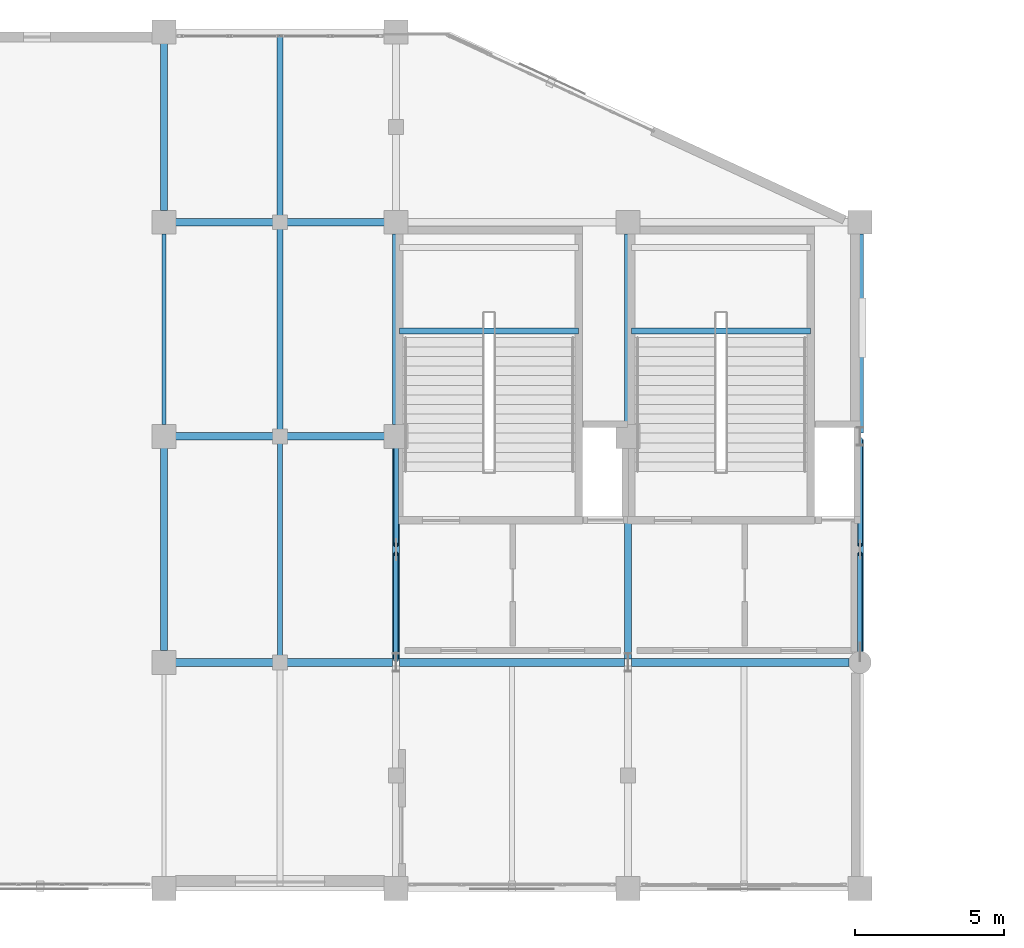
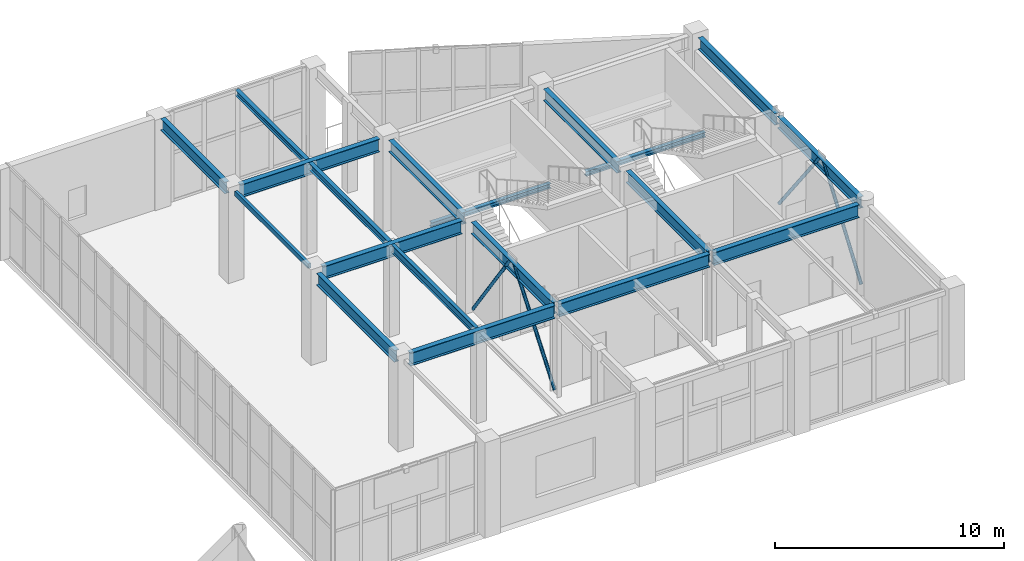
# One storey, part 90 of 128: 19 beams, 4 members.
"""IFC4 building model written with IfcOpenShell, lengths in metres."""

from ifc_helpers import new_model, si_unit, direction, frame, origin, origin_2d, place, context, subcontext, project, spatial, hollow_rectangle, hollow_circle, i_section, extrude, material, material_profile, profile_set, type_object, element, save


model = new_model("IFC4")

# Units and contexts
model_context = context("Model", 3, precision=1e-05, world=origin(), true_north=direction((0.0, 1.0)))
body_context = subcontext(model_context, "Body", "Model", "MODEL_VIEW")
ifc_project = project(units=[si_unit("LENGTHUNIT", "METRE"), si_unit("AREAUNIT", "SQUARE_METRE"), si_unit("VOLUMEUNIT", "CUBIC_METRE"), si_unit("PLANEANGLEUNIT", "RADIAN"), si_unit("MASSUNIT", "GRAM", prefix="KILO")], contexts=[model_context])

# Site, building, storey
site_placement = place(None, origin())
site = spatial("IfcSite", under=ifc_project, at=site_placement, CompositionType="ELEMENT")
building_placement = place(site_placement, origin())
building = spatial("IfcBuilding", under=site, at=building_placement, Name="Xicomal Pleat Aquarium", CompositionType="ELEMENT")
storey_placement = place(building_placement, frame((0.0, 0.0, 5.39990234375)))
storey = spatial("IfcBuildingStorey", under=building, at=storey_placement, Name="L02", CompositionType="ELEMENT", Elevation=5.39990234375)

# Beams
ifc_material_1 = material(Name="Structural steel A992 Gr 50", Category="steel")
ifc_material_profile_1 = material_profile(ifc_material_1, i_section(OverallWidth=0.201904296875, OverallDepth=0.2470703125, WebThickness=0.00732421875, FlangeThickness=0.010986328125, at=origin_2d()), Name="IR 250x49")
ifc_profile_set_1 = profile_set([ifc_material_profile_1], Name="Structural steel A992 Gr 50")
beam_type_1 = type_object("IfcBeamType", Name="BM-STL-IR250", PredefinedType="JOIST", material=ifc_profile_set_1)
for number, where, z_axis, x_axis, name in (
    (1, (141.719970703125, 94.748046875, 2.22900390625), (1.0, 0.0, 0.0), (0.0, 1.0, 0.0), "ST-05-L02 half-landing bearer beam 2"),
    (2, (149.52001953125, 94.748046875, 2.22900390625), (1.0, 0.0, 0.0), (0.0, 1.0, 0.0), "ST-06-L02 half-landing bearer beam 2"),
):
    element("IfcBeam", number, at=place(storey_placement, frame(where, z_axis=z_axis, x_axis=x_axis)), inside=storey, type_object=beam_type_1, Name=name, PredefinedType="JOIST", context=body_context, shape_type="SweptSolid", body=[
        extrude(i_section(OverallWidth=0.201904296875, OverallDepth=0.2470703125, WebThickness=0.00732421875, FlangeThickness=0.010986328125, at=origin_2d()), origin(), (0.0, 0.0, 1.0), 6.02001953125),
    ])
ifc_material_2 = material(Name="Structural steel A992 Gr 50", Category="steel")
ifc_material_profile_2 = material_profile(ifc_material_2, i_section(OverallWidth=0.202880859375, OverallDepth=0.302978515625, WebThickness=0.007568359375, FlangeThickness=0.01318359375, at=origin_2d()), Name="IR 310x60")
ifc_profile_set_2 = profile_set([ifc_material_profile_2], Name="Structural steel A992 Gr 50")
beam_type_2 = type_object("IfcBeamType", Name="BM-STL-IR310", PredefinedType="JOIST", material=ifc_profile_set_2)
beam_1_placement = place(storey_placement, frame((137.699951171875, 98.531005859375, 4.668701171875), z_axis=(0.0, 1.0, 0.0), x_axis=(-1.0, 0.0, 0.0)))
element("IfcBeam", 3, at=beam_1_placement, inside=storey, type_object=beam_type_2, Name="L02 framing beam FBJ-L02-17-P-1", PredefinedType="JOIST", context=body_context, shape_type="SweptSolid", body=[
    extrude(i_section(OverallWidth=0.202880859375, OverallDepth=0.302978515625, WebThickness=0.007568359375, FlangeThickness=0.01318359375, at=origin_2d()), origin(), (0.0, 0.0, 1.0), 6.166015625),
])
ifc_material_3 = material(Name="Structural steel A992 Gr 50", Category="steel")
ifc_material_profile_3 = material_profile(ifc_material_3, i_section(OverallWidth=0.205078125, OverallDepth=0.35400390625, WebThickness=0.009521484375, FlangeThickness=0.016845703125, at=origin_2d()), Name="IR 360x79")
ifc_profile_set_3 = profile_set([ifc_material_profile_3], Name="Structural steel A992 Gr 50")
beam_type_3 = type_object("IfcBeamType", Name="BM-STL-IR360", PredefinedType="JOIST", material=ifc_profile_set_3)
beam_2_placement = place(storey_placement, frame((137.699951171875, 91.3310546875, 4.64306640625), z_axis=(0.0, 1.0, 0.0), x_axis=(-1.0, 0.0, 0.0)))
element("IfcBeam", 4, at=beam_2_placement, inside=storey, type_object=beam_type_3, Name="L02 framing beam FBJ-L02-17-N-1", PredefinedType="JOIST", context=body_context, shape_type="SweptSolid", body=[
    extrude(i_section(OverallWidth=0.205078125, OverallDepth=0.35400390625, WebThickness=0.009521484375, FlangeThickness=0.016845703125, at=origin_2d()), origin(), (0.0, 0.0, 1.0), 6.93798828125),
])
ifc_material_4 = material(Name="Structural steel A992 Gr 50", Category="steel")
ifc_material_profile_4 = material_profile(ifc_material_4, i_section(OverallWidth=0.180908203125, OverallDepth=0.4169921875, WebThickness=0.010986328125, FlangeThickness=0.018310546875, at=origin_2d()), Name="IR 410x85")
ifc_profile_set_4 = profile_set([ifc_material_profile_4], Name="Structural steel A992 Gr 50")
beam_type_4 = type_object("IfcBeamType", Name="BM-STL-IR410", PredefinedType="JOIST", material=ifc_profile_set_4)
beam_3_placement = place(storey_placement, frame((137.699951171875, 83.73095703125, 4.611572265625), z_axis=(0.0, 1.0, 0.0), x_axis=(-1.0, 0.0, 0.0)))
element("IfcBeam", 5, at=beam_3_placement, inside=storey, type_object=beam_type_4, Name="L02 framing beam FBJ-L02-17-M-1", PredefinedType="JOIST", context=body_context, shape_type="SweptSolid", body=[
    extrude(i_section(OverallWidth=0.180908203125, OverallDepth=0.4169921875, WebThickness=0.010986328125, FlangeThickness=0.018310546875, at=origin_2d()), origin(), (0.0, 0.0, 1.0), 7.338134765625),
])
ifc_material_5 = material(Name="Structural steel A992 Gr 50", Category="steel")
ifc_material_profile_5 = material_profile(ifc_material_5, i_section(OverallWidth=0.22998046875, OverallDepth=0.616943359375, WebThickness=0.01318359375, FlangeThickness=0.022216796875, at=origin_2d()), Name="IR 610x140")
ifc_profile_set_5 = profile_set([ifc_material_profile_5], Name="Structural steel A992 Gr 50")
beam_type_5 = type_object("IfcBeamType", Name="BM-STL-IR610", PredefinedType="BEAM", material=ifc_profile_set_5)
beam_4_placement = place(storey_placement, frame((133.800048828125, 83.9951171875, 4.51171875), z_axis=(0.0, 1.0, 0.0), x_axis=(-1.0, 0.0, 0.0)))
element("IfcBeam", 6, at=beam_4_placement, inside=storey, type_object=beam_type_5, Name="L02 framing beam FGY-L02-17-M-N", PredefinedType="BEAM", context=body_context, shape_type="SweptSolid", body=[
    extrude(i_section(OverallWidth=0.22998046875, OverallDepth=0.616943359375, WebThickness=0.01318359375, FlangeThickness=0.022216796875, at=origin_2d()), origin(), (0.0, 0.0, 1.0), 6.809814453125),
])
beam_5_placement = place(storey_placement, frame((133.800048828125, 98.794921875, 4.51171875), z_axis=(0.0, 1.0, 0.0), x_axis=(-1.0, 0.0, 0.0)))
element("IfcBeam", 7, at=beam_5_placement, inside=storey, type_object=beam_type_5, Name="L02 framing beam FGY-L02-17-P-Q", PredefinedType="BEAM", context=body_context, shape_type="SweptSolid", body=[
    extrude(i_section(OverallWidth=0.22998046875, OverallDepth=0.616943359375, WebThickness=0.01318359375, FlangeThickness=0.022216796875, at=origin_2d()), origin(), (0.0, 0.0, 1.0), 5.610107421875),
])
beam_6_placement = place(storey_placement, frame((141.60009765625, 83.7099609375, 4.51171875), z_axis=(0.0, 1.0, 0.0), x_axis=(-1.0, 0.0, 0.0)))
element("IfcBeam", 8, at=beam_6_placement, inside=storey, type_object=beam_type_5, Name="L02 framing beam FGY-L02-18-M-N", PredefinedType="BEAM", context=body_context, shape_type="SweptSolid", body=[
    extrude(i_section(OverallWidth=0.22998046875, OverallDepth=0.616943359375, WebThickness=0.01318359375, FlangeThickness=0.022216796875, at=origin_2d()), origin(), (0.0, 0.0, 1.0), 7.094970703125),
])
beam_7_placement = place(storey_placement, frame((141.60009765625, 91.594970703125, 4.51171875), z_axis=(0.0, 1.0, 0.0), x_axis=(-1.0, 0.0, 0.0)))
element("IfcBeam", 9, at=beam_7_placement, inside=storey, type_object=beam_type_5, Name="L02 framing beam FGY-L02-18-N-P", PredefinedType="BEAM", context=body_context, shape_type="SweptSolid", body=[
    extrude(i_section(OverallWidth=0.22998046875, OverallDepth=0.616943359375, WebThickness=0.01318359375, FlangeThickness=0.022216796875, at=origin_2d()), origin(), (0.0, 0.0, 1.0), 6.409912109375),
])
beam_8_placement = place(storey_placement, frame((149.39990234375, 83.7099609375, 4.51171875), z_axis=(0.0, 1.0, 0.0), x_axis=(-1.0, 0.0, 0.0)))
element("IfcBeam", 10, at=beam_8_placement, inside=storey, type_object=beam_type_5, Name="L02 framing beam FGY-L02-19-M-N", PredefinedType="BEAM", context=body_context, shape_type="SweptSolid", body=[
    extrude(i_section(OverallWidth=0.22998046875, OverallDepth=0.616943359375, WebThickness=0.01318359375, FlangeThickness=0.022216796875, at=origin_2d()), origin(), (0.0, 0.0, 1.0), 7.094970703125),
])
beam_9_placement = place(storey_placement, frame((149.39990234375, 91.594970703125, 4.51171875), z_axis=(0.0, 1.0, 0.0), x_axis=(-1.0, 0.0, 0.0)))
element("IfcBeam", 11, at=beam_9_placement, inside=storey, type_object=beam_type_5, Name="L02 framing beam FGY-L02-19-N-P", PredefinedType="BEAM", context=body_context, shape_type="SweptSolid", body=[
    extrude(i_section(OverallWidth=0.22998046875, OverallDepth=0.616943359375, WebThickness=0.01318359375, FlangeThickness=0.022216796875, at=origin_2d()), origin(), (0.0, 0.0, 1.0), 6.409912109375),
])
beam_10_placement = place(storey_placement, frame((157.199951171875, 83.969970703125, 4.51171875), z_axis=(0.0, 1.0, 0.0), x_axis=(-1.0, 0.0, 0.0)))
element("IfcBeam", 12, at=beam_10_placement, inside=storey, type_object=beam_type_5, Name="L02 framing beam FGY-L02-20-M-N", PredefinedType="BEAM", context=body_context, shape_type="SweptSolid", body=[
    extrude(i_section(OverallWidth=0.22998046875, OverallDepth=0.616943359375, WebThickness=0.01318359375, FlangeThickness=0.022216796875, at=origin_2d()), origin(), (0.0, 0.0, 1.0), 7.1201171875),
])
beam_11_placement = place(storey_placement, frame((157.199951171875, 91.31005859375, 4.51171875), z_axis=(0.0, 1.0, 0.0), x_axis=(-1.0, 0.0, 0.0)))
element("IfcBeam", 13, at=beam_11_placement, inside=storey, type_object=beam_type_5, Name="L02 framing beam FGY-L02-20-N-P", PredefinedType="BEAM", context=body_context, shape_type="SweptSolid", body=[
    extrude(i_section(OverallWidth=0.22998046875, OverallDepth=0.616943359375, WebThickness=0.01318359375, FlangeThickness=0.022216796875, at=origin_2d()), origin(), (0.0, 0.0, 1.0), 6.69482421875),
])
ifc_material_6 = material(Name="Structural steel A992 Gr 50", Category="steel")
ifc_material_profile_6 = material_profile(ifc_material_6, i_section(OverallWidth=0.256103515625, OverallDepth=0.693115234375, WebThickness=0.014404296875, FlangeThickness=0.023681640625, at=origin_2d()), Name="IR 690x170")
ifc_profile_set_6 = profile_set([ifc_material_profile_6], Name="Structural steel A992 Gr 50")
beam_type_6 = type_object("IfcBeamType", Name="BM-STL-IR690", PredefinedType="BEAM", material=ifc_profile_set_6)
beam_12_placement = place(storey_placement, frame((134.195068359375, 83.60009765625, 4.4736328125), z_axis=(1.0, 0.0, 0.0), x_axis=(0.0, 1.0, 0.0)))
element("IfcBeam", 14, at=beam_12_placement, inside=storey, type_object=beam_type_6, Name="L02 framing beam FGX-L02-17-18-M", PredefinedType="BEAM", context=body_context, shape_type="SweptSolid", body=[
    extrude(i_section(OverallWidth=0.256103515625, OverallDepth=0.693115234375, WebThickness=0.014404296875, FlangeThickness=0.023681640625, at=origin_2d()), origin(), (0.0, 0.0, 1.0), 7.294921875),
])
beam_13_placement = place(storey_placement, frame((141.7099609375, 83.60009765625, 4.4736328125), z_axis=(1.0, 0.0, 0.0), x_axis=(0.0, 1.0, 0.0)))
element("IfcBeam", 15, at=beam_13_placement, inside=storey, type_object=beam_type_6, Name="L02 framing beam FGX-L02-18-19-M", PredefinedType="BEAM", context=body_context, shape_type="SweptSolid", body=[
    extrude(i_section(OverallWidth=0.256103515625, OverallDepth=0.693115234375, WebThickness=0.014404296875, FlangeThickness=0.023681640625, at=origin_2d()), origin(), (0.0, 0.0, 1.0), 7.580078125),
])
beam_14_placement = place(storey_placement, frame((149.510009765625, 83.60009765625, 4.4736328125), z_axis=(1.0, 0.0, 0.0), x_axis=(0.0, 1.0, 0.0)))
element("IfcBeam", 16, at=beam_14_placement, inside=storey, type_object=beam_type_6, Name="L02 framing beam FGX-L02-19-20-M", PredefinedType="BEAM", context=body_context, shape_type="SweptSolid", body=[
    extrude(i_section(OverallWidth=0.256103515625, OverallDepth=0.693115234375, WebThickness=0.014404296875, FlangeThickness=0.023681640625, at=origin_2d()), origin(), (0.0, 0.0, 1.0), 7.320068359375),
])
for number, where, z_axis, x_axis, name in (
    (17, (134.195068359375, 91.199951171875, 4.4736328125), (1.0, 0.0, 0.0), (0.0, 1.0, 0.0), "L02 framing beam FGX-L02-17-18-N"),
    (18, (134.195068359375, 98.39990234375, 4.4736328125), (1.0, 0.0, 0.0), (0.0, 1.0, 0.0), "L02 framing beam FGX-L02-17-18-P"),
):
    element("IfcBeam", number, at=place(storey_placement, frame(where, z_axis=z_axis, x_axis=x_axis)), inside=storey, type_object=beam_type_6, Name=name, PredefinedType="BEAM", context=body_context, shape_type="SweptSolid", body=[
        extrude(i_section(OverallWidth=0.256103515625, OverallDepth=0.693115234375, WebThickness=0.014404296875, FlangeThickness=0.023681640625, at=origin_2d()), origin(), (0.0, 0.0, 1.0), 7.010009765625),
    ])
ifc_material_7 = material(Name="Structural steel A500 Gr C", Category="steel")
ifc_material_profile_7 = material_profile(ifc_material_7, hollow_rectangle(XDim=0.14990234375, YDim=0.25, WallThickness=0.010009765625, at=origin_2d()), Name="OR 250x150x10")
ifc_profile_set_7 = profile_set([ifc_material_profile_7], Name="Structural steel A500 Gr C")
beam_type_7 = type_object("IfcBeamType", Name="BM-STL-OR250", PredefinedType="SPANDREL", material=ifc_profile_set_7)
beam_15_placement = place(storey_placement, frame((133.800048828125, 91.594970703125, 4.695068359375), z_axis=(0.0, 1.0, 0.0), x_axis=(-1.0, 0.0, 0.0)))
element("IfcBeam", 19, at=beam_15_placement, inside=storey, type_object=beam_type_7, Name="L02 framing beam FGY-L02-17-N-P", PredefinedType="SPANDREL", context=body_context, shape_type="SweptSolid", body=[
    extrude(hollow_rectangle(XDim=0.14990234375, YDim=0.25, WallThickness=0.010009765625, at=origin_2d()), origin(), (0.0, 0.0, 1.0), 6.409912109375),
])

# Members
ifc_material_8 = material(Name="Structural steel A500 Gr C", Category="steel")
ifc_material_profile_8 = material_profile(ifc_material_8, hollow_circle(Radius=0.083984375, WallThickness=0.010009765625, at=origin_2d()), Name="OC 168x10")
ifc_profile_set_8 = profile_set([ifc_material_profile_8], Name="Structural steel A500 Gr C")
member_type = type_object("IfcMemberType", Name="MEM-BR-OC168", PredefinedType="BRACE", material=ifc_profile_set_8)
member_1_placement = place(storey_placement, frame((157.199951171875, 83.955078125, 0.150146484375), z_axis=(0.0, 0.582327454848, 0.812954325488), x_axis=(-1.0, 0.0, 0.0)))
element("IfcMember", 20, at=member_1_placement, inside=storey, type_object=member_type, Name="L02 chevron brace 23A", PredefinedType="BRACE", context=body_context, shape_type="SweptSolid", body=[
    extrude(hollow_circle(Radius=0.083984375, WallThickness=0.010009765625, at=origin_2d()), origin(), (0.0, 0.0, 1.0), 5.658203125),
])
for number, where, z_axis, x_axis, name in (
    (21, (157.199951171875, 91.10498046875, 0.150146484375), (0.0, -0.61150128475, 0.791243438361), (1.0, 0.0, 0.0), "L02 chevron brace 23B"),
    (22, (141.60009765625, 83.695068359375, 0.150146484375), (0.0, 0.61150128475, 0.791243438361), (-1.0, 0.0, 0.0), "L02 chevron brace 28A"),
):
    element("IfcMember", number, at=place(storey_placement, frame(where, z_axis=z_axis, x_axis=x_axis)), inside=storey, type_object=member_type, Name=name, PredefinedType="BRACE", context=body_context, shape_type="SweptSolid", body=[
        extrude(hollow_circle(Radius=0.083984375, WallThickness=0.010009765625, at=origin_2d()), origin(), (0.0, 0.0, 1.0), 5.8134765625),
    ])
member_2_placement = place(storey_placement, frame((141.60009765625, 90.820068359375, 0.150146484375), z_axis=(0.0, -0.579407582013, 0.815037946298), x_axis=(1.0, 0.0, 0.0)))
element("IfcMember", 23, at=member_2_placement, inside=storey, type_object=member_type, Name="L02 chevron brace 28B", PredefinedType="BRACE", context=body_context, shape_type="SweptSolid", body=[
    extrude(hollow_circle(Radius=0.083984375, WallThickness=0.010009765625, at=origin_2d()), origin(), (0.0, 0.0, 1.0), 5.643798828125),
])

save(model, "model.ifc")
